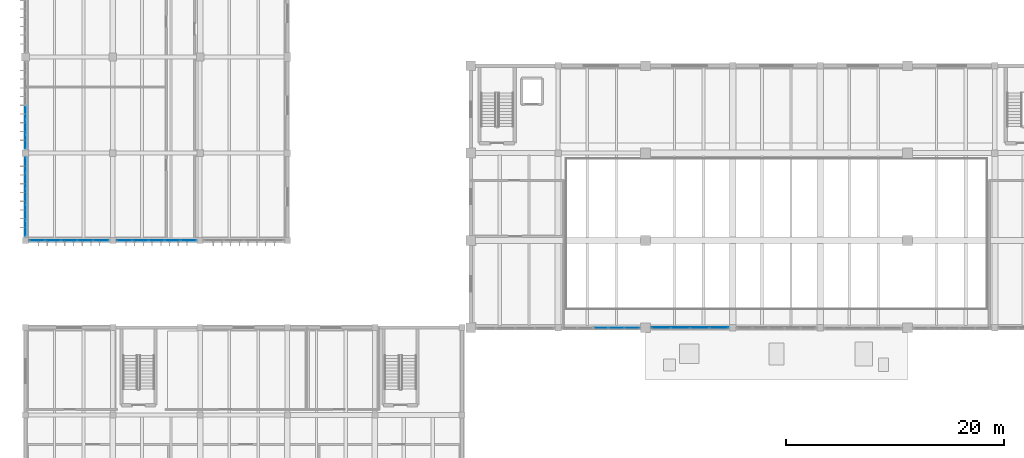
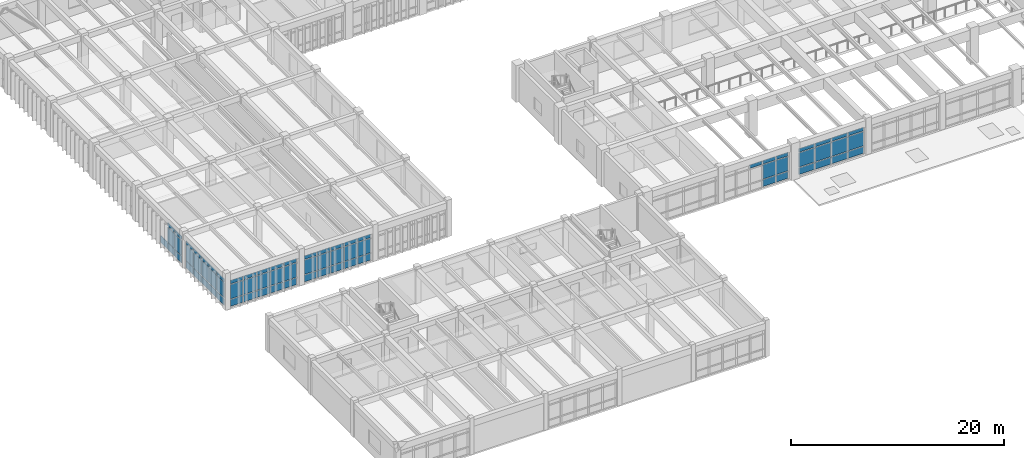
# One storey, part 30 of 67: 71 plates, 6 elements without a shape of their own.
"""IFC4 building model written with IfcOpenShell, lengths in metres."""

from ifc_helpers import new_model, si_unit, direction, frame, origin, origin_2d, place, context, subcontext, project, spatial, rectangle, extrude, material, layer, layer_set, type_object, element, aggregate, save


model = new_model("IFC4")

# Units and contexts
model_context = context("Model", 3, precision=1e-05, world=origin(), true_north=direction((0.0, 1.0)))
body_context = subcontext(model_context, "Body", "Model", "MODEL_VIEW")
ifc_project = project(units=[si_unit("LENGTHUNIT", "METRE"), si_unit("AREAUNIT", "SQUARE_METRE"), si_unit("VOLUMEUNIT", "CUBIC_METRE"), si_unit("PLANEANGLEUNIT", "RADIAN"), si_unit("MASSUNIT", "GRAM", prefix="KILO")], contexts=[model_context])

# Site, building, storey
site_placement = place(None, origin())
site = spatial("IfcSite", under=ifc_project, at=site_placement, CompositionType="ELEMENT")
building_placement = place(site_placement, origin())
building = spatial("IfcBuilding", under=site, at=building_placement, Name="Tlaxcora Railside Police Headquarters", CompositionType="ELEMENT")
storey_placement = place(building_placement, frame((0.0, 0.0, 4.800048828125)))
storey = spatial("IfcBuildingStorey", under=building, at=storey_placement, Name="L01", CompositionType="ELEMENT", Elevation=4.800048828125)

# Curtain wall, plates
ifc_material = material(Name="Thermally broken low-E insulated glazing", Category="glass")
curtain_wall_type_1 = type_object("IfcCurtainWallType", Name="Unitised Curtain Wall Assembly CW-23", PredefinedType="NOTDEFINED", material=ifc_material)
curtain_wall_1_placement = place(storey_placement, origin())
curtain_wall_1 = element("IfcCurtainWall", 1, at=curtain_wall_1_placement, inside=storey, type_object=curtain_wall_type_1, Name="V5 L01 curtain wall 48", PredefinedType="NOTDEFINED")
ifc_layer_1 = layer(ifc_material, 0.0400390625, Name="Thermally broken low-E insulated glazing")
ifc_layer_set_1 = layer_set([ifc_layer_1], Name="Thermally broken low-E insulated glazing")
plate_type_1 = type_object("IfcPlateType", Name="Curtain Wall Infill Panel CW-17", PredefinedType="CURTAIN_PANEL", material=ifc_layer_set_1)
plate_1_placement = place(storey_placement, frame((5.199951171875, 55.7041015625, 0.080078125), z_axis=(0.0, 0.0, 1.0), x_axis=(0.0, -1.0, 0.0)))
plate_1 = element("IfcPlate", 2, at=plate_1_placement, type_object=plate_type_1, Name="CW panel 4.1", PredefinedType="CURTAIN_PANEL", context=body_context, shape_type="SweptSolid", body=[
    extrude(rectangle(XDim=1.26171875, YDim=0.0400390625, at=origin_2d()), origin(), (0.0, 0.0, 1.0), 0.780029296875),
])
plate_2_placement = place(storey_placement, frame((5.199951171875, 54.362548828125, 0.080078125), z_axis=(0.0, 0.0, 1.0), x_axis=(0.0, -1.0, 0.0)))
plate_2 = element("IfcPlate", 3, at=plate_2_placement, type_object=plate_type_1, Name="CW panel 5.1", PredefinedType="CURTAIN_PANEL", context=body_context, shape_type="SweptSolid", body=[
    extrude(rectangle(XDim=1.26171875, YDim=0.0400390625, at=origin_2d()), origin(), (0.0, 0.0, 1.0), 0.780029296875),
])
plate_3_placement = place(storey_placement, frame((5.199951171875, 54.362548828125, 0.93994140625), z_axis=(0.0, 0.0, 1.0), x_axis=(0.0, -1.0, 0.0)))
plate_3 = element("IfcPlate", 4, at=plate_3_placement, type_object=plate_type_1, Name="CW panel 5.2", PredefinedType="CURTAIN_PANEL", context=body_context, shape_type="SweptSolid", body=[
    extrude(rectangle(XDim=1.26171875, YDim=0.0400390625, at=origin_2d()), origin(), (0.0, 0.0, 1.0), 1.72998046875),
])
plate_4_placement = place(storey_placement, frame((5.199951171875, 54.362548828125, 2.75), z_axis=(0.0, 0.0, 1.0), x_axis=(0.0, -1.0, 0.0)))
plate_4 = element("IfcPlate", 5, at=plate_4_placement, type_object=plate_type_1, Name="CW panel 5.3", PredefinedType="CURTAIN_PANEL", context=body_context, shape_type="SweptSolid", body=[
    extrude(rectangle(XDim=1.26171875, YDim=0.0400390625, at=origin_2d()), origin(), (0.0, 0.0, 1.0), 0.409912109375),
])
plate_5_placement = place(storey_placement, frame((5.199951171875, 53.040771484375, 0.080078125), z_axis=(0.0, 0.0, 1.0), x_axis=(0.0, -1.0, 0.0)))
plate_5 = element("IfcPlate", 6, at=plate_5_placement, type_object=plate_type_1, Name="CW panel 6.1", PredefinedType="CURTAIN_PANEL", context=body_context, shape_type="SweptSolid", body=[
    extrude(rectangle(XDim=1.2216796875, YDim=0.0400390625, at=origin_2d()), origin(), (0.0, 0.0, 1.0), 0.780029296875),
])
plate_6_placement = place(storey_placement, frame((5.199951171875, 53.040771484375, 0.93994140625), z_axis=(0.0, 0.0, 1.0), x_axis=(0.0, -1.0, 0.0)))
plate_6 = element("IfcPlate", 7, at=plate_6_placement, type_object=plate_type_1, Name="CW panel 6.2", PredefinedType="CURTAIN_PANEL", context=body_context, shape_type="SweptSolid", body=[
    extrude(rectangle(XDim=1.2216796875, YDim=0.0400390625, at=origin_2d()), origin(), (0.0, 0.0, 1.0), 1.72998046875),
])
plate_7_placement = place(storey_placement, frame((5.199951171875, 53.040771484375, 2.75), z_axis=(0.0, 0.0, 1.0), x_axis=(0.0, -1.0, 0.0)))
plate_7 = element("IfcPlate", 8, at=plate_7_placement, type_object=plate_type_1, Name="CW panel 6.3", PredefinedType="CURTAIN_PANEL", context=body_context, shape_type="SweptSolid", body=[
    extrude(rectangle(XDim=1.2216796875, YDim=0.0400390625, at=origin_2d()), origin(), (0.0, 0.0, 1.0), 0.409912109375),
])
aggregate(curtain_wall_1, [plate_1, plate_2, plate_3, plate_4, plate_5, plate_6, plate_7])

curtain_wall_type_2 = type_object("IfcCurtainWallType", Name="Unitised Curtain Wall Assembly CW-15", PredefinedType="NOTDEFINED", material=ifc_material)
curtain_wall_2_placement = place(storey_placement, origin())
curtain_wall_2 = element("IfcCurtainWall", 9, at=curtain_wall_2_placement, inside=storey, type_object=curtain_wall_type_2, Name="V1 L01 curtain wall 6", PredefinedType="NOTDEFINED")
ifc_layer_2 = layer(ifc_material, 0.031982421875, Name="Thermally broken low-E insulated glazing")
ifc_layer_set_2 = layer_set([ifc_layer_2], Name="Thermally broken low-E insulated glazing")
plate_type_2 = type_object("IfcPlateType", Name="Curtain Wall Infill Panel CW-41", PredefinedType="CURTAIN_PANEL", material=ifc_layer_set_2)
plate_8_placement = place(storey_placement, frame((57.925048828125, 36.0, 2.6474609375), z_axis=(0.0, 0.0, 1.0), x_axis=(1.0, 0.0, 0.0)))
plate_8 = element("IfcPlate", 10, at=plate_8_placement, type_object=plate_type_2, Name="CW panel 3.3", PredefinedType="CURTAIN_PANEL", context=body_context, shape_type="SweptSolid", body=[
    extrude(rectangle(XDim=1.35498046875, YDim=0.031982421875, at=origin_2d()), origin(), (0.0, 0.0, 1.0), 0.41748046875),
])
plate_9_placement = place(storey_placement, frame((59.35498046875, 36.0, 0.074951171875), z_axis=(0.0, 0.0, 1.0), x_axis=(1.0, 0.0, 0.0)))
plate_9 = element("IfcPlate", 11, at=plate_9_placement, type_object=plate_type_2, Name="CW panel 4.1", PredefinedType="CURTAIN_PANEL", context=body_context, shape_type="SweptSolid", body=[
    extrude(rectangle(XDim=1.35498046875, YDim=0.031982421875, at=origin_2d()), origin(), (0.0, 0.0, 1.0), 0.78759765625),
])
plate_10_placement = place(storey_placement, frame((59.35498046875, 36.0, 0.9375), z_axis=(0.0, 0.0, 1.0), x_axis=(1.0, 0.0, 0.0)))
plate_10 = element("IfcPlate", 12, at=plate_10_placement, type_object=plate_type_2, Name="CW panel 4.2", PredefinedType="CURTAIN_PANEL", context=body_context, shape_type="SweptSolid", body=[
    extrude(rectangle(XDim=1.35498046875, YDim=0.031982421875, at=origin_2d()), origin(), (0.0, 0.0, 1.0), 1.635009765625),
])
plate_11_placement = place(storey_placement, frame((59.35498046875, 36.0, 2.6474609375), z_axis=(0.0, 0.0, 1.0), x_axis=(1.0, 0.0, 0.0)))
plate_11 = element("IfcPlate", 13, at=plate_11_placement, type_object=plate_type_2, Name="CW panel 4.3", PredefinedType="CURTAIN_PANEL", context=body_context, shape_type="SweptSolid", body=[
    extrude(rectangle(XDim=1.35498046875, YDim=0.031982421875, at=origin_2d()), origin(), (0.0, 0.0, 1.0), 0.41748046875),
])
plate_12_placement = place(storey_placement, frame((60.766357421875, 36.0, 0.074951171875), z_axis=(0.0, 0.0, 1.0), x_axis=(1.0, 0.0, 0.0)))
plate_12 = element("IfcPlate", 14, at=plate_12_placement, type_object=plate_type_2, Name="CW panel 5.1", PredefinedType="CURTAIN_PANEL", context=body_context, shape_type="SweptSolid", body=[
    extrude(rectangle(XDim=1.3173828125, YDim=0.031982421875, at=origin_2d()), origin(), (0.0, 0.0, 1.0), 0.78759765625),
])
plate_13_placement = place(storey_placement, frame((60.766357421875, 36.0, 0.9375), z_axis=(0.0, 0.0, 1.0), x_axis=(1.0, 0.0, 0.0)))
plate_13 = element("IfcPlate", 15, at=plate_13_placement, type_object=plate_type_2, Name="CW panel 5.2", PredefinedType="CURTAIN_PANEL", context=body_context, shape_type="SweptSolid", body=[
    extrude(rectangle(XDim=1.3173828125, YDim=0.031982421875, at=origin_2d()), origin(), (0.0, 0.0, 1.0), 1.635009765625),
])
plate_14_placement = place(storey_placement, frame((60.766357421875, 36.0, 2.6474609375), z_axis=(0.0, 0.0, 1.0), x_axis=(1.0, 0.0, 0.0)))
plate_14 = element("IfcPlate", 16, at=plate_14_placement, type_object=plate_type_2, Name="CW panel 5.3", PredefinedType="CURTAIN_PANEL", context=body_context, shape_type="SweptSolid", body=[
    extrude(rectangle(XDim=1.3173828125, YDim=0.031982421875, at=origin_2d()), origin(), (0.0, 0.0, 1.0), 0.41748046875),
])
aggregate(curtain_wall_2, [plate_8, plate_9, plate_10, plate_11, plate_12, plate_13, plate_14])

curtain_wall_3_placement = place(storey_placement, origin())
curtain_wall_3 = element("IfcCurtainWall", 17, at=curtain_wall_3_placement, inside=storey, type_object=curtain_wall_type_2, Name="V5 L01 curtain wall 30", PredefinedType="NOTDEFINED")
plate_15_placement = place(storey_placement, frame((14.27880859375, 44.0, 0.074951171875), z_axis=(0.0, 0.0, 1.0), x_axis=(1.0, 0.0, 0.0)))
plate_15 = element("IfcPlate", 18, at=plate_15_placement, type_object=plate_type_2, Name="CW panel 1.1", PredefinedType="CURTAIN_PANEL", context=body_context, shape_type="SweptSolid", body=[
    extrude(rectangle(XDim=1.357421875, YDim=0.031982421875, at=origin_2d()), origin(), (0.0, 0.0, 1.0), 0.78759765625),
])
plate_16_placement = place(storey_placement, frame((14.27880859375, 44.0, 0.9375), z_axis=(0.0, 0.0, 1.0), x_axis=(1.0, 0.0, 0.0)))
plate_16 = element("IfcPlate", 19, at=plate_16_placement, type_object=plate_type_2, Name="CW panel 1.2", PredefinedType="CURTAIN_PANEL", context=body_context, shape_type="SweptSolid", body=[
    extrude(rectangle(XDim=1.357421875, YDim=0.031982421875, at=origin_2d()), origin(), (0.0, 0.0, 1.0), 1.635009765625),
])
plate_17_placement = place(storey_placement, frame((14.27880859375, 44.0, 2.6474609375), z_axis=(0.0, 0.0, 1.0), x_axis=(1.0, 0.0, 0.0)))
plate_17 = element("IfcPlate", 20, at=plate_17_placement, type_object=plate_type_2, Name="CW panel 1.3", PredefinedType="CURTAIN_PANEL", context=body_context, shape_type="SweptSolid", body=[
    extrude(rectangle(XDim=1.357421875, YDim=0.031982421875, at=origin_2d()), origin(), (0.0, 0.0, 1.0), 0.41748046875),
])
plate_18_placement = place(storey_placement, frame((15.72998046875, 44.0, 0.074951171875), z_axis=(0.0, 0.0, 1.0), x_axis=(1.0, 0.0, 0.0)))
plate_18 = element("IfcPlate", 21, at=plate_18_placement, type_object=plate_type_2, Name="CW panel 2.1", PredefinedType="CURTAIN_PANEL", context=body_context, shape_type="SweptSolid", body=[
    extrude(rectangle(XDim=1.39501953125, YDim=0.031982421875, at=origin_2d()), origin(), (0.0, 0.0, 1.0), 0.78759765625),
])
plate_19_placement = place(storey_placement, frame((15.72998046875, 44.0, 0.9375), z_axis=(0.0, 0.0, 1.0), x_axis=(1.0, 0.0, 0.0)))
plate_19 = element("IfcPlate", 22, at=plate_19_placement, type_object=plate_type_2, Name="CW panel 2.2", PredefinedType="CURTAIN_PANEL", context=body_context, shape_type="SweptSolid", body=[
    extrude(rectangle(XDim=1.39501953125, YDim=0.031982421875, at=origin_2d()), origin(), (0.0, 0.0, 1.0), 1.635009765625),
])
plate_20_placement = place(storey_placement, frame((15.72998046875, 44.0, 2.6474609375), z_axis=(0.0, 0.0, 1.0), x_axis=(1.0, 0.0, 0.0)))
plate_20 = element("IfcPlate", 23, at=plate_20_placement, type_object=plate_type_2, Name="CW panel 2.3", PredefinedType="CURTAIN_PANEL", context=body_context, shape_type="SweptSolid", body=[
    extrude(rectangle(XDim=1.39501953125, YDim=0.031982421875, at=origin_2d()), origin(), (0.0, 0.0, 1.0), 0.41748046875),
])
plate_21_placement = place(storey_placement, frame((17.199951171875, 44.0, 0.074951171875), z_axis=(0.0, 0.0, 1.0), x_axis=(1.0, 0.0, 0.0)))
plate_21 = element("IfcPlate", 24, at=plate_21_placement, type_object=plate_type_2, Name="CW panel 3.1", PredefinedType="CURTAIN_PANEL", context=body_context, shape_type="SweptSolid", body=[
    extrude(rectangle(XDim=1.39501953125, YDim=0.031982421875, at=origin_2d()), origin(), (0.0, 0.0, 1.0), 0.78759765625),
])
plate_22_placement = place(storey_placement, frame((17.199951171875, 44.0, 0.9375), z_axis=(0.0, 0.0, 1.0), x_axis=(1.0, 0.0, 0.0)))
plate_22 = element("IfcPlate", 25, at=plate_22_placement, type_object=plate_type_2, Name="CW panel 3.2", PredefinedType="CURTAIN_PANEL", context=body_context, shape_type="SweptSolid", body=[
    extrude(rectangle(XDim=1.39501953125, YDim=0.031982421875, at=origin_2d()), origin(), (0.0, 0.0, 1.0), 1.635009765625),
])
plate_23_placement = place(storey_placement, frame((17.199951171875, 44.0, 2.6474609375), z_axis=(0.0, 0.0, 1.0), x_axis=(1.0, 0.0, 0.0)))
plate_23 = element("IfcPlate", 26, at=plate_23_placement, type_object=plate_type_2, Name="CW panel 3.3", PredefinedType="CURTAIN_PANEL", context=body_context, shape_type="SweptSolid", body=[
    extrude(rectangle(XDim=1.39501953125, YDim=0.031982421875, at=origin_2d()), origin(), (0.0, 0.0, 1.0), 0.41748046875),
])
plate_24_placement = place(storey_placement, frame((18.669921875, 44.0, 0.074951171875), z_axis=(0.0, 0.0, 1.0), x_axis=(1.0, 0.0, 0.0)))
plate_24 = element("IfcPlate", 27, at=plate_24_placement, type_object=plate_type_2, Name="CW panel 4.1", PredefinedType="CURTAIN_PANEL", context=body_context, shape_type="SweptSolid", body=[
    extrude(rectangle(XDim=1.39501953125, YDim=0.031982421875, at=origin_2d()), origin(), (0.0, 0.0, 1.0), 0.78759765625),
])
plate_25_placement = place(storey_placement, frame((18.669921875, 44.0, 0.9375), z_axis=(0.0, 0.0, 1.0), x_axis=(1.0, 0.0, 0.0)))
plate_25 = element("IfcPlate", 28, at=plate_25_placement, type_object=plate_type_2, Name="CW panel 4.2", PredefinedType="CURTAIN_PANEL", context=body_context, shape_type="SweptSolid", body=[
    extrude(rectangle(XDim=1.39501953125, YDim=0.031982421875, at=origin_2d()), origin(), (0.0, 0.0, 1.0), 1.635009765625),
])
plate_26_placement = place(storey_placement, frame((18.669921875, 44.0, 2.6474609375), z_axis=(0.0, 0.0, 1.0), x_axis=(1.0, 0.0, 0.0)))
plate_26 = element("IfcPlate", 29, at=plate_26_placement, type_object=plate_type_2, Name="CW panel 4.3", PredefinedType="CURTAIN_PANEL", context=body_context, shape_type="SweptSolid", body=[
    extrude(rectangle(XDim=1.39501953125, YDim=0.031982421875, at=origin_2d()), origin(), (0.0, 0.0, 1.0), 0.41748046875),
])
plate_27_placement = place(storey_placement, frame((20.121337890625, 44.0, 0.074951171875), z_axis=(0.0, 0.0, 1.0), x_axis=(1.0, 0.0, 0.0)))
plate_27 = element("IfcPlate", 30, at=plate_27_placement, type_object=plate_type_2, Name="CW panel 5.1", PredefinedType="CURTAIN_PANEL", context=body_context, shape_type="SweptSolid", body=[
    extrude(rectangle(XDim=1.357421875, YDim=0.031982421875, at=origin_2d()), origin(), (0.0, 0.0, 1.0), 0.78759765625),
])
plate_28_placement = place(storey_placement, frame((20.121337890625, 44.0, 0.9375), z_axis=(0.0, 0.0, 1.0), x_axis=(1.0, 0.0, 0.0)))
plate_28 = element("IfcPlate", 31, at=plate_28_placement, type_object=plate_type_2, Name="CW panel 5.2", PredefinedType="CURTAIN_PANEL", context=body_context, shape_type="SweptSolid", body=[
    extrude(rectangle(XDim=1.357421875, YDim=0.031982421875, at=origin_2d()), origin(), (0.0, 0.0, 1.0), 1.635009765625),
])
plate_29_placement = place(storey_placement, frame((20.121337890625, 44.0, 2.6474609375), z_axis=(0.0, 0.0, 1.0), x_axis=(1.0, 0.0, 0.0)))
plate_29 = element("IfcPlate", 32, at=plate_29_placement, type_object=plate_type_2, Name="CW panel 5.3", PredefinedType="CURTAIN_PANEL", context=body_context, shape_type="SweptSolid", body=[
    extrude(rectangle(XDim=1.357421875, YDim=0.031982421875, at=origin_2d()), origin(), (0.0, 0.0, 1.0), 0.41748046875),
])
aggregate(curtain_wall_3, [plate_15, plate_16, plate_17, plate_18, plate_19, plate_20, plate_21, plate_22, plate_23, plate_24, plate_25, plate_26, plate_27, plate_28, plate_29])

curtain_wall_type_3 = type_object("IfcCurtainWallType", Name="Unitised Curtain Wall Assembly CW-83", PredefinedType="NOTDEFINED", material=ifc_material)
curtain_wall_4_placement = place(storey_placement, origin())
curtain_wall_4 = element("IfcCurtainWall", 33, at=curtain_wall_4_placement, inside=storey, type_object=curtain_wall_type_3, Name="V1 L01 curtain wall 7", PredefinedType="NOTDEFINED")
ifc_layer_3 = layer(ifc_material, 0.035888671875, Name="Thermally broken low-E insulated glazing")
ifc_layer_set_3 = layer_set([ifc_layer_3], Name="Thermally broken low-E insulated glazing")
plate_type_3 = type_object("IfcPlateType", Name="Curtain Wall Infill Panel CW-72", PredefinedType="CURTAIN_PANEL", material=ifc_layer_set_3)
plate_30_placement = place(storey_placement, frame((63.413818359375, 36.0, 0.080078125), z_axis=(0.0, 0.0, 1.0), x_axis=(1.0, 0.0, 0.0)))
plate_30 = element("IfcPlate", 34, at=plate_30_placement, type_object=plate_type_3, Name="CW panel 1.1", PredefinedType="CURTAIN_PANEL", context=body_context, shape_type="SweptSolid", body=[
    extrude(rectangle(XDim=1.66748046875, YDim=0.035888671875, at=origin_2d()), origin(), (0.0, 0.0, 1.0), 0.780029296875),
])
plate_31_placement = place(storey_placement, frame((63.413818359375, 36.0, 0.93994140625), z_axis=(0.0, 0.0, 1.0), x_axis=(1.0, 0.0, 0.0)))
plate_31 = element("IfcPlate", 35, at=plate_31_placement, type_object=plate_type_3, Name="CW panel 1.2", PredefinedType="CURTAIN_PANEL", context=body_context, shape_type="SweptSolid", body=[
    extrude(rectangle(XDim=1.66748046875, YDim=0.035888671875, at=origin_2d()), origin(), (0.0, 0.0, 1.0), 1.6298828125),
])
plate_32_placement = place(storey_placement, frame((63.413818359375, 36.0, 2.64990234375), z_axis=(0.0, 0.0, 1.0), x_axis=(1.0, 0.0, 0.0)))
plate_32 = element("IfcPlate", 36, at=plate_32_placement, type_object=plate_type_3, Name="CW panel 1.3", PredefinedType="CURTAIN_PANEL", context=body_context, shape_type="SweptSolid", body=[
    extrude(rectangle(XDim=1.66748046875, YDim=0.035888671875, at=origin_2d()), origin(), (0.0, 0.0, 1.0), 0.409912109375),
])
plate_33_placement = place(storey_placement, frame((65.18115234375, 36.0, 0.080078125), z_axis=(0.0, 0.0, 1.0), x_axis=(1.0, 0.0, 0.0)))
plate_33 = element("IfcPlate", 37, at=plate_33_placement, type_object=plate_type_3, Name="CW panel 2.1", PredefinedType="CURTAIN_PANEL", context=body_context, shape_type="SweptSolid", body=[
    extrude(rectangle(XDim=1.70751953125, YDim=0.035888671875, at=origin_2d()), origin(), (0.0, 0.0, 1.0), 0.780029296875),
])
plate_34_placement = place(storey_placement, frame((65.18115234375, 36.0, 0.93994140625), z_axis=(0.0, 0.0, 1.0), x_axis=(1.0, 0.0, 0.0)))
plate_34 = element("IfcPlate", 38, at=plate_34_placement, type_object=plate_type_3, Name="CW panel 2.2", PredefinedType="CURTAIN_PANEL", context=body_context, shape_type="SweptSolid", body=[
    extrude(rectangle(XDim=1.70751953125, YDim=0.035888671875, at=origin_2d()), origin(), (0.0, 0.0, 1.0), 1.6298828125),
])
plate_35_placement = place(storey_placement, frame((65.18115234375, 36.0, 2.64990234375), z_axis=(0.0, 0.0, 1.0), x_axis=(1.0, 0.0, 0.0)))
plate_35 = element("IfcPlate", 39, at=plate_35_placement, type_object=plate_type_3, Name="CW panel 2.3", PredefinedType="CURTAIN_PANEL", context=body_context, shape_type="SweptSolid", body=[
    extrude(rectangle(XDim=1.70751953125, YDim=0.035888671875, at=origin_2d()), origin(), (0.0, 0.0, 1.0), 0.409912109375),
])
plate_36_placement = place(storey_placement, frame((66.96875, 36.0, 0.080078125), z_axis=(0.0, 0.0, 1.0), x_axis=(1.0, 0.0, 0.0)))
plate_36 = element("IfcPlate", 40, at=plate_36_placement, type_object=plate_type_3, Name="CW panel 3.1", PredefinedType="CURTAIN_PANEL", context=body_context, shape_type="SweptSolid", body=[
    extrude(rectangle(XDim=1.70751953125, YDim=0.035888671875, at=origin_2d()), origin(), (0.0, 0.0, 1.0), 0.780029296875),
])
plate_37_placement = place(storey_placement, frame((66.96875, 36.0, 0.93994140625), z_axis=(0.0, 0.0, 1.0), x_axis=(1.0, 0.0, 0.0)))
plate_37 = element("IfcPlate", 41, at=plate_37_placement, type_object=plate_type_3, Name="CW panel 3.2", PredefinedType="CURTAIN_PANEL", context=body_context, shape_type="SweptSolid", body=[
    extrude(rectangle(XDim=1.70751953125, YDim=0.035888671875, at=origin_2d()), origin(), (0.0, 0.0, 1.0), 1.6298828125),
])
plate_38_placement = place(storey_placement, frame((66.96875, 36.0, 2.64990234375), z_axis=(0.0, 0.0, 1.0), x_axis=(1.0, 0.0, 0.0)))
plate_38 = element("IfcPlate", 42, at=plate_38_placement, type_object=plate_type_3, Name="CW panel 3.3", PredefinedType="CURTAIN_PANEL", context=body_context, shape_type="SweptSolid", body=[
    extrude(rectangle(XDim=1.70751953125, YDim=0.035888671875, at=origin_2d()), origin(), (0.0, 0.0, 1.0), 0.409912109375),
])
plate_39_placement = place(storey_placement, frame((68.736328125, 36.0, 0.080078125), z_axis=(0.0, 0.0, 1.0), x_axis=(1.0, 0.0, 0.0)))
plate_39 = element("IfcPlate", 43, at=plate_39_placement, type_object=plate_type_3, Name="CW panel 4.1", PredefinedType="CURTAIN_PANEL", context=body_context, shape_type="SweptSolid", body=[
    extrude(rectangle(XDim=1.66748046875, YDim=0.035888671875, at=origin_2d()), origin(), (0.0, 0.0, 1.0), 0.780029296875),
])
plate_40_placement = place(storey_placement, frame((68.736328125, 36.0, 0.93994140625), z_axis=(0.0, 0.0, 1.0), x_axis=(1.0, 0.0, 0.0)))
plate_40 = element("IfcPlate", 44, at=plate_40_placement, type_object=plate_type_3, Name="CW panel 4.2", PredefinedType="CURTAIN_PANEL", context=body_context, shape_type="SweptSolid", body=[
    extrude(rectangle(XDim=1.66748046875, YDim=0.035888671875, at=origin_2d()), origin(), (0.0, 0.0, 1.0), 1.6298828125),
])
plate_41_placement = place(storey_placement, frame((68.736328125, 36.0, 2.64990234375), z_axis=(0.0, 0.0, 1.0), x_axis=(1.0, 0.0, 0.0)))
plate_41 = element("IfcPlate", 45, at=plate_41_placement, type_object=plate_type_3, Name="CW panel 4.3", PredefinedType="CURTAIN_PANEL", context=body_context, shape_type="SweptSolid", body=[
    extrude(rectangle(XDim=1.66748046875, YDim=0.035888671875, at=origin_2d()), origin(), (0.0, 0.0, 1.0), 0.409912109375),
])
aggregate(curtain_wall_4, [plate_30, plate_31, plate_32, plate_33, plate_34, plate_35, plate_36, plate_37, plate_38, plate_39, plate_40, plate_41])

curtain_wall_type_4 = type_object("IfcCurtainWallType", Name="Unitised Curtain Wall Assembly CW-38", PredefinedType="NOTDEFINED", material=ifc_material)
curtain_wall_5_placement = place(storey_placement, origin())
curtain_wall_5 = element("IfcCurtainWall", 46, at=curtain_wall_5_placement, inside=storey, type_object=curtain_wall_type_4, Name="V5 L01 curtain wall 29", PredefinedType="NOTDEFINED")
ifc_layer_4 = layer(ifc_material, 0.028076171875, Name="Thermally broken low-E insulated glazing")
ifc_layer_set_4 = layer_set([ifc_layer_4], Name="Thermally broken low-E insulated glazing")
plate_type_4 = type_object("IfcPlateType", Name="Curtain Wall Infill Panel CW-92", PredefinedType="CURTAIN_PANEL", material=ifc_layer_set_4)
plate_42_placement = place(storey_placement, frame((6.27880859375, 44.0, 0.074951171875), z_axis=(0.0, 0.0, 1.0), x_axis=(1.0, 0.0, 0.0)))
plate_42 = element("IfcPlate", 47, at=plate_42_placement, type_object=plate_type_4, Name="CW panel 1.1", PredefinedType="CURTAIN_PANEL", context=body_context, shape_type="SweptSolid", body=[
    extrude(rectangle(XDim=1.357421875, YDim=0.028076171875, at=origin_2d()), origin(), (0.0, 0.0, 1.0), 0.78759765625),
])
plate_43_placement = place(storey_placement, frame((6.27880859375, 44.0, 0.9375), z_axis=(0.0, 0.0, 1.0), x_axis=(1.0, 0.0, 0.0)))
plate_43 = element("IfcPlate", 48, at=plate_43_placement, type_object=plate_type_4, Name="CW panel 1.2", PredefinedType="CURTAIN_PANEL", context=body_context, shape_type="SweptSolid", body=[
    extrude(rectangle(XDim=1.357421875, YDim=0.028076171875, at=origin_2d()), origin(), (0.0, 0.0, 1.0), 1.635009765625),
])
plate_44_placement = place(storey_placement, frame((6.27880859375, 44.0, 2.6474609375), z_axis=(0.0, 0.0, 1.0), x_axis=(1.0, 0.0, 0.0)))
plate_44 = element("IfcPlate", 49, at=plate_44_placement, type_object=plate_type_4, Name="CW panel 1.3", PredefinedType="CURTAIN_PANEL", context=body_context, shape_type="SweptSolid", body=[
    extrude(rectangle(XDim=1.357421875, YDim=0.028076171875, at=origin_2d()), origin(), (0.0, 0.0, 1.0), 0.41748046875),
])
plate_45_placement = place(storey_placement, frame((7.72998046875, 44.0, 0.074951171875), z_axis=(0.0, 0.0, 1.0), x_axis=(1.0, 0.0, 0.0)))
plate_45 = element("IfcPlate", 50, at=plate_45_placement, type_object=plate_type_4, Name="CW panel 2.1", PredefinedType="CURTAIN_PANEL", context=body_context, shape_type="SweptSolid", body=[
    extrude(rectangle(XDim=1.39501953125, YDim=0.028076171875, at=origin_2d()), origin(), (0.0, 0.0, 1.0), 0.78759765625),
])
plate_46_placement = place(storey_placement, frame((7.72998046875, 44.0, 0.9375), z_axis=(0.0, 0.0, 1.0), x_axis=(1.0, 0.0, 0.0)))
plate_46 = element("IfcPlate", 51, at=plate_46_placement, type_object=plate_type_4, Name="CW panel 2.2", PredefinedType="CURTAIN_PANEL", context=body_context, shape_type="SweptSolid", body=[
    extrude(rectangle(XDim=1.39501953125, YDim=0.028076171875, at=origin_2d()), origin(), (0.0, 0.0, 1.0), 1.635009765625),
])
plate_47_placement = place(storey_placement, frame((7.72998046875, 44.0, 2.6474609375), z_axis=(0.0, 0.0, 1.0), x_axis=(1.0, 0.0, 0.0)))
plate_47 = element("IfcPlate", 52, at=plate_47_placement, type_object=plate_type_4, Name="CW panel 2.3", PredefinedType="CURTAIN_PANEL", context=body_context, shape_type="SweptSolid", body=[
    extrude(rectangle(XDim=1.39501953125, YDim=0.028076171875, at=origin_2d()), origin(), (0.0, 0.0, 1.0), 0.41748046875),
])
plate_48_placement = place(storey_placement, frame((9.199951171875, 44.0, 0.074951171875), z_axis=(0.0, 0.0, 1.0), x_axis=(1.0, 0.0, 0.0)))
plate_48 = element("IfcPlate", 53, at=plate_48_placement, type_object=plate_type_4, Name="CW panel 3.1", PredefinedType="CURTAIN_PANEL", context=body_context, shape_type="SweptSolid", body=[
    extrude(rectangle(XDim=1.39501953125, YDim=0.028076171875, at=origin_2d()), origin(), (0.0, 0.0, 1.0), 0.78759765625),
])
plate_49_placement = place(storey_placement, frame((9.199951171875, 44.0, 0.9375), z_axis=(0.0, 0.0, 1.0), x_axis=(1.0, 0.0, 0.0)))
plate_49 = element("IfcPlate", 54, at=plate_49_placement, type_object=plate_type_4, Name="CW panel 3.2", PredefinedType="CURTAIN_PANEL", context=body_context, shape_type="SweptSolid", body=[
    extrude(rectangle(XDim=1.39501953125, YDim=0.028076171875, at=origin_2d()), origin(), (0.0, 0.0, 1.0), 1.635009765625),
])
plate_50_placement = place(storey_placement, frame((9.199951171875, 44.0, 2.6474609375), z_axis=(0.0, 0.0, 1.0), x_axis=(1.0, 0.0, 0.0)))
plate_50 = element("IfcPlate", 55, at=plate_50_placement, type_object=plate_type_4, Name="CW panel 3.3", PredefinedType="CURTAIN_PANEL", context=body_context, shape_type="SweptSolid", body=[
    extrude(rectangle(XDim=1.39501953125, YDim=0.028076171875, at=origin_2d()), origin(), (0.0, 0.0, 1.0), 0.41748046875),
])
plate_51_placement = place(storey_placement, frame((10.669921875, 44.0, 0.074951171875), z_axis=(0.0, 0.0, 1.0), x_axis=(1.0, 0.0, 0.0)))
plate_51 = element("IfcPlate", 56, at=plate_51_placement, type_object=plate_type_4, Name="CW panel 4.1", PredefinedType="CURTAIN_PANEL", context=body_context, shape_type="SweptSolid", body=[
    extrude(rectangle(XDim=1.39501953125, YDim=0.028076171875, at=origin_2d()), origin(), (0.0, 0.0, 1.0), 0.78759765625),
])
plate_52_placement = place(storey_placement, frame((10.669921875, 44.0, 0.9375), z_axis=(0.0, 0.0, 1.0), x_axis=(1.0, 0.0, 0.0)))
plate_52 = element("IfcPlate", 57, at=plate_52_placement, type_object=plate_type_4, Name="CW panel 4.2", PredefinedType="CURTAIN_PANEL", context=body_context, shape_type="SweptSolid", body=[
    extrude(rectangle(XDim=1.39501953125, YDim=0.028076171875, at=origin_2d()), origin(), (0.0, 0.0, 1.0), 1.635009765625),
])
plate_53_placement = place(storey_placement, frame((10.669921875, 44.0, 2.6474609375), z_axis=(0.0, 0.0, 1.0), x_axis=(1.0, 0.0, 0.0)))
plate_53 = element("IfcPlate", 58, at=plate_53_placement, type_object=plate_type_4, Name="CW panel 4.3", PredefinedType="CURTAIN_PANEL", context=body_context, shape_type="SweptSolid", body=[
    extrude(rectangle(XDim=1.39501953125, YDim=0.028076171875, at=origin_2d()), origin(), (0.0, 0.0, 1.0), 0.41748046875),
])
plate_54_placement = place(storey_placement, frame((12.121337890625, 44.0, 0.074951171875), z_axis=(0.0, 0.0, 1.0), x_axis=(1.0, 0.0, 0.0)))
plate_54 = element("IfcPlate", 59, at=plate_54_placement, type_object=plate_type_4, Name="CW panel 5.1", PredefinedType="CURTAIN_PANEL", context=body_context, shape_type="SweptSolid", body=[
    extrude(rectangle(XDim=1.357421875, YDim=0.028076171875, at=origin_2d()), origin(), (0.0, 0.0, 1.0), 0.78759765625),
])
plate_55_placement = place(storey_placement, frame((12.121337890625, 44.0, 0.9375), z_axis=(0.0, 0.0, 1.0), x_axis=(1.0, 0.0, 0.0)))
plate_55 = element("IfcPlate", 60, at=plate_55_placement, type_object=plate_type_4, Name="CW panel 5.2", PredefinedType="CURTAIN_PANEL", context=body_context, shape_type="SweptSolid", body=[
    extrude(rectangle(XDim=1.357421875, YDim=0.028076171875, at=origin_2d()), origin(), (0.0, 0.0, 1.0), 1.635009765625),
])
plate_56_placement = place(storey_placement, frame((12.121337890625, 44.0, 2.6474609375), z_axis=(0.0, 0.0, 1.0), x_axis=(1.0, 0.0, 0.0)))
plate_56 = element("IfcPlate", 61, at=plate_56_placement, type_object=plate_type_4, Name="CW panel 5.3", PredefinedType="CURTAIN_PANEL", context=body_context, shape_type="SweptSolid", body=[
    extrude(rectangle(XDim=1.357421875, YDim=0.028076171875, at=origin_2d()), origin(), (0.0, 0.0, 1.0), 0.41748046875),
])
aggregate(curtain_wall_5, [plate_42, plate_43, plate_44, plate_45, plate_46, plate_47, plate_48, plate_49, plate_50, plate_51, plate_52, plate_53, plate_54, plate_55, plate_56])

curtain_wall_6_placement = place(storey_placement, origin())
curtain_wall_6 = element("IfcCurtainWall", 62, at=curtain_wall_6_placement, inside=storey, type_object=curtain_wall_type_4, Name="V5 L01 curtain wall 49", PredefinedType="NOTDEFINED")
plate_57_placement = place(storey_placement, frame((5.199951171875, 50.898681640625, 0.074951171875), z_axis=(0.0, 0.0, 1.0), x_axis=(0.0, -1.0, 0.0)))
plate_57 = element("IfcPlate", 63, at=plate_57_placement, type_object=plate_type_4, Name="CW panel 1.1", PredefinedType="CURTAIN_PANEL", context=body_context, shape_type="SweptSolid", body=[
    extrude(rectangle(XDim=1.3525390625, YDim=0.028076171875, at=origin_2d()), origin(), (0.0, 0.0, 1.0), 0.78759765625),
])
plate_58_placement = place(storey_placement, frame((5.199951171875, 50.898681640625, 0.9375), z_axis=(0.0, 0.0, 1.0), x_axis=(0.0, -1.0, 0.0)))
plate_58 = element("IfcPlate", 64, at=plate_58_placement, type_object=plate_type_4, Name="CW panel 1.2", PredefinedType="CURTAIN_PANEL", context=body_context, shape_type="SweptSolid", body=[
    extrude(rectangle(XDim=1.3525390625, YDim=0.028076171875, at=origin_2d()), origin(), (0.0, 0.0, 1.0), 1.735107421875),
])
plate_59_placement = place(storey_placement, frame((5.199951171875, 50.898681640625, 2.74755859375), z_axis=(0.0, 0.0, 1.0), x_axis=(0.0, -1.0, 0.0)))
plate_59 = element("IfcPlate", 65, at=plate_59_placement, type_object=plate_type_4, Name="CW panel 1.3", PredefinedType="CURTAIN_PANEL", context=body_context, shape_type="SweptSolid", body=[
    extrude(rectangle(XDim=1.3525390625, YDim=0.028076171875, at=origin_2d()), origin(), (0.0, 0.0, 1.0), 0.41748046875),
])
plate_60_placement = place(storey_placement, frame((5.199951171875, 49.452392578125, 0.074951171875), z_axis=(0.0, 0.0, 1.0), x_axis=(0.0, -1.0, 0.0)))
plate_60 = element("IfcPlate", 66, at=plate_60_placement, type_object=plate_type_4, Name="CW panel 2.1", PredefinedType="CURTAIN_PANEL", context=body_context, shape_type="SweptSolid", body=[
    extrude(rectangle(XDim=1.389892578125, YDim=0.028076171875, at=origin_2d()), origin(), (0.0, 0.0, 1.0), 0.78759765625),
])
plate_61_placement = place(storey_placement, frame((5.199951171875, 49.452392578125, 0.9375), z_axis=(0.0, 0.0, 1.0), x_axis=(0.0, -1.0, 0.0)))
plate_61 = element("IfcPlate", 67, at=plate_61_placement, type_object=plate_type_4, Name="CW panel 2.2", PredefinedType="CURTAIN_PANEL", context=body_context, shape_type="SweptSolid", body=[
    extrude(rectangle(XDim=1.389892578125, YDim=0.028076171875, at=origin_2d()), origin(), (0.0, 0.0, 1.0), 1.735107421875),
])
plate_62_placement = place(storey_placement, frame((5.199951171875, 49.452392578125, 2.74755859375), z_axis=(0.0, 0.0, 1.0), x_axis=(0.0, -1.0, 0.0)))
plate_62 = element("IfcPlate", 68, at=plate_62_placement, type_object=plate_type_4, Name="CW panel 2.3", PredefinedType="CURTAIN_PANEL", context=body_context, shape_type="SweptSolid", body=[
    extrude(rectangle(XDim=1.389892578125, YDim=0.028076171875, at=origin_2d()), origin(), (0.0, 0.0, 1.0), 0.41748046875),
])
plate_63_placement = place(storey_placement, frame((5.199951171875, 47.987548828125, 0.074951171875), z_axis=(0.0, 0.0, 1.0), x_axis=(0.0, -1.0, 0.0)))
plate_63 = element("IfcPlate", 69, at=plate_63_placement, type_object=plate_type_4, Name="CW panel 3.1", PredefinedType="CURTAIN_PANEL", context=body_context, shape_type="SweptSolid", body=[
    extrude(rectangle(XDim=1.389892578125, YDim=0.028076171875, at=origin_2d()), origin(), (0.0, 0.0, 1.0), 0.78759765625),
])
plate_64_placement = place(storey_placement, frame((5.199951171875, 47.987548828125, 0.9375), z_axis=(0.0, 0.0, 1.0), x_axis=(0.0, -1.0, 0.0)))
plate_64 = element("IfcPlate", 70, at=plate_64_placement, type_object=plate_type_4, Name="CW panel 3.2", PredefinedType="CURTAIN_PANEL", context=body_context, shape_type="SweptSolid", body=[
    extrude(rectangle(XDim=1.389892578125, YDim=0.028076171875, at=origin_2d()), origin(), (0.0, 0.0, 1.0), 1.735107421875),
])
plate_65_placement = place(storey_placement, frame((5.199951171875, 47.987548828125, 2.74755859375), z_axis=(0.0, 0.0, 1.0), x_axis=(0.0, -1.0, 0.0)))
plate_65 = element("IfcPlate", 71, at=plate_65_placement, type_object=plate_type_4, Name="CW panel 3.3", PredefinedType="CURTAIN_PANEL", context=body_context, shape_type="SweptSolid", body=[
    extrude(rectangle(XDim=1.389892578125, YDim=0.028076171875, at=origin_2d()), origin(), (0.0, 0.0, 1.0), 0.41748046875),
])
plate_66_placement = place(storey_placement, frame((5.199951171875, 46.5224609375, 0.074951171875), z_axis=(0.0, 0.0, 1.0), x_axis=(0.0, -1.0, 0.0)))
plate_66 = element("IfcPlate", 72, at=plate_66_placement, type_object=plate_type_4, Name="CW panel 4.1", PredefinedType="CURTAIN_PANEL", context=body_context, shape_type="SweptSolid", body=[
    extrude(rectangle(XDim=1.389892578125, YDim=0.028076171875, at=origin_2d()), origin(), (0.0, 0.0, 1.0), 0.78759765625),
])
plate_67_placement = place(storey_placement, frame((5.199951171875, 46.5224609375, 0.9375), z_axis=(0.0, 0.0, 1.0), x_axis=(0.0, -1.0, 0.0)))
plate_67 = element("IfcPlate", 73, at=plate_67_placement, type_object=plate_type_4, Name="CW panel 4.2", PredefinedType="CURTAIN_PANEL", context=body_context, shape_type="SweptSolid", body=[
    extrude(rectangle(XDim=1.389892578125, YDim=0.028076171875, at=origin_2d()), origin(), (0.0, 0.0, 1.0), 1.735107421875),
])
plate_68_placement = place(storey_placement, frame((5.199951171875, 46.5224609375, 2.74755859375), z_axis=(0.0, 0.0, 1.0), x_axis=(0.0, -1.0, 0.0)))
plate_68 = element("IfcPlate", 74, at=plate_68_placement, type_object=plate_type_4, Name="CW panel 4.3", PredefinedType="CURTAIN_PANEL", context=body_context, shape_type="SweptSolid", body=[
    extrude(rectangle(XDim=1.389892578125, YDim=0.028076171875, at=origin_2d()), origin(), (0.0, 0.0, 1.0), 0.41748046875),
])
plate_69_placement = place(storey_placement, frame((5.199951171875, 45.076171875, 0.074951171875), z_axis=(0.0, 0.0, 1.0), x_axis=(0.0, -1.0, 0.0)))
plate_69 = element("IfcPlate", 75, at=plate_69_placement, type_object=plate_type_4, Name="CW panel 5.1", PredefinedType="CURTAIN_PANEL", context=body_context, shape_type="SweptSolid", body=[
    extrude(rectangle(XDim=1.3525390625, YDim=0.028076171875, at=origin_2d()), origin(), (0.0, 0.0, 1.0), 0.78759765625),
])
plate_70_placement = place(storey_placement, frame((5.199951171875, 45.076171875, 0.9375), z_axis=(0.0, 0.0, 1.0), x_axis=(0.0, -1.0, 0.0)))
plate_70 = element("IfcPlate", 76, at=plate_70_placement, type_object=plate_type_4, Name="CW panel 5.2", PredefinedType="CURTAIN_PANEL", context=body_context, shape_type="SweptSolid", body=[
    extrude(rectangle(XDim=1.3525390625, YDim=0.028076171875, at=origin_2d()), origin(), (0.0, 0.0, 1.0), 1.735107421875),
])
plate_71_placement = place(storey_placement, frame((5.199951171875, 45.076171875, 2.74755859375), z_axis=(0.0, 0.0, 1.0), x_axis=(0.0, -1.0, 0.0)))
plate_71 = element("IfcPlate", 77, at=plate_71_placement, type_object=plate_type_4, Name="CW panel 5.3", PredefinedType="CURTAIN_PANEL", context=body_context, shape_type="SweptSolid", body=[
    extrude(rectangle(XDim=1.3525390625, YDim=0.028076171875, at=origin_2d()), origin(), (0.0, 0.0, 1.0), 0.41748046875),
])
aggregate(curtain_wall_6, [plate_57, plate_58, plate_59, plate_60, plate_61, plate_62, plate_63, plate_64, plate_65, plate_66, plate_67, plate_68, plate_69, plate_70, plate_71])

save(model, "model.ifc")
